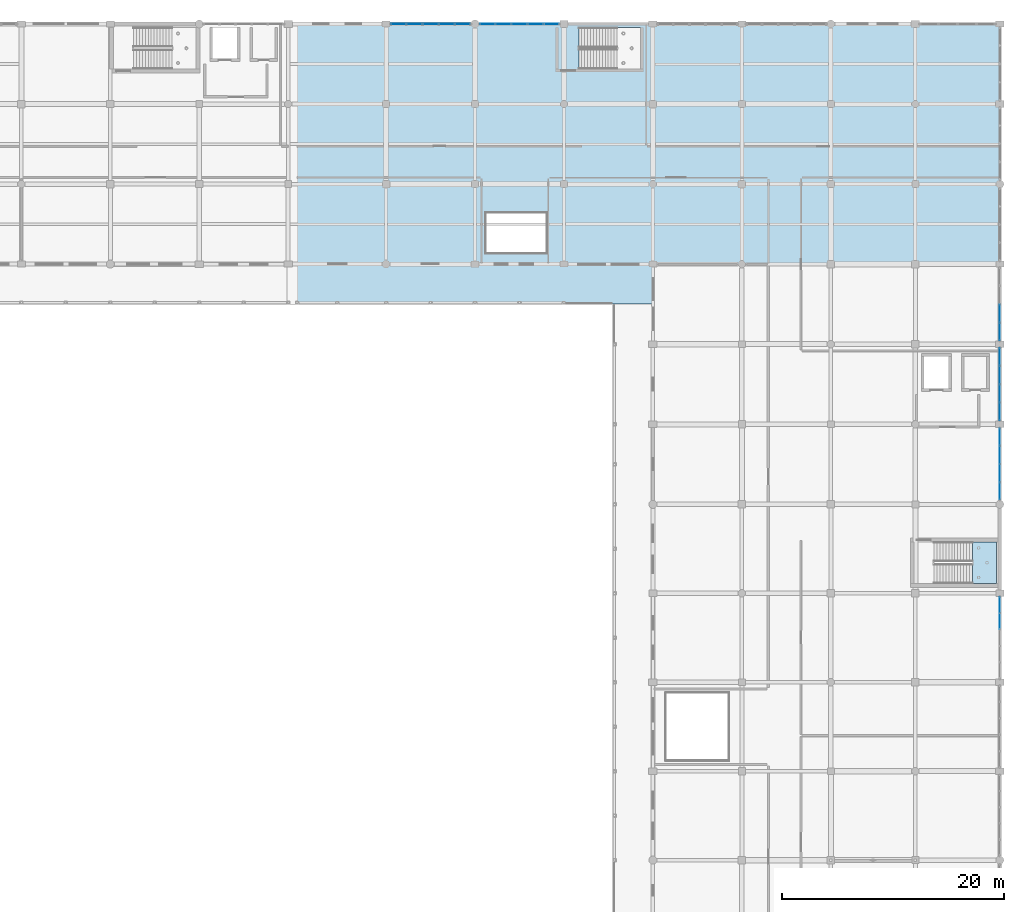
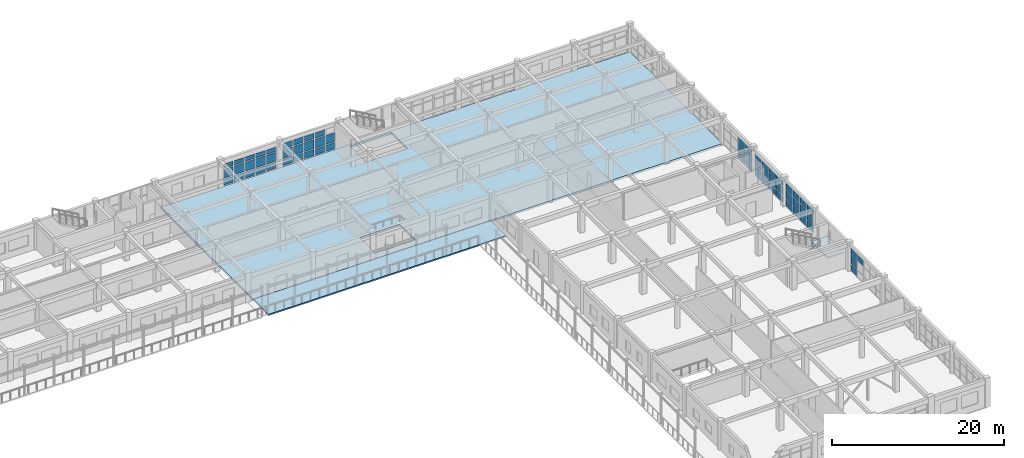
# One storey, part 154 of 195: 63 plates, 3 slabs, 7 elements without a shape of their own.
"""IFC4 building model written with IfcOpenShell, lengths in metres."""

from ifc_helpers import new_model, si_unit, direction, frame, origin, origin_2d, place, context, subcontext, project, spatial, polyline, rectangle, outline, extrude, material, layer, layer_set, type_object, element, aggregate, save


model = new_model("IFC4")

# Units and contexts
model_context = context("Model", 3, precision=1e-05, world=origin(), true_north=direction((0.0, 1.0)))
body_context = subcontext(model_context, "Body", "Model", "MODEL_VIEW")
ifc_project = project(units=[si_unit("LENGTHUNIT", "METRE"), si_unit("AREAUNIT", "SQUARE_METRE"), si_unit("VOLUMEUNIT", "CUBIC_METRE"), si_unit("PLANEANGLEUNIT", "RADIAN"), si_unit("MASSUNIT", "GRAM", prefix="KILO")], contexts=[model_context])

# Site, building, storey
site_placement = place(None, origin())
site = spatial("IfcSite", under=ifc_project, at=site_placement, CompositionType="ELEMENT")
building_placement = place(site_placement, origin())
building = spatial("IfcBuilding", under=site, at=building_placement, Name="Kharva Crest Polytechnic", CompositionType="ELEMENT")
storey_placement = place(building_placement, frame((0.0, 0.0, 9.0)))
storey = spatial("IfcBuildingStorey", under=building, at=storey_placement, Name="L02", CompositionType="ELEMENT", Elevation=9.0)

# Curtain wall, plates
ifc_material_1 = material(Name="Tempered insulated glass", Category="glass")
curtain_wall_type_1 = type_object("IfcCurtainWallType", Name="CW-SYS-COURT", PredefinedType="USERDEFINED", material=ifc_material_1)
curtain_wall_1_placement = place(storey_placement, origin())
curtain_wall_1 = element("IfcCurtainWall", 1, at=curtain_wall_1_placement, inside=storey, type_object=curtain_wall_type_1, Name="L02 Glazed Curtain Wall CW-106", ObjectType="CURTAIN WALL", PredefinedType="USERDEFINED")
ifc_layer_1 = layer(ifc_material_1, 0.02392578125, Name="Tempered insulated glass")
ifc_layer_set_1 = layer_set([ifc_layer_1], Name="Tempered insulated glass")
plate_type_1 = type_object("IfcPlateType", Name="CWP-GLZ-24", PredefinedType="CURTAIN_PANEL", material=ifc_layer_set_1)
plate_1_placement = place(storey_placement, frame((184.0, 68.2880859375, 2.510009765625), z_axis=(0.0, 0.0, 1.0), x_axis=(0.0, 1.0, 0.0)))
plate_1 = element("IfcPlate", 2, at=plate_1_placement, type_object=plate_type_1, Name="CW-106 panel 4.3", PredefinedType="CURTAIN_PANEL", context=body_context, shape_type="SweptSolid", body=[
    extrude(rectangle(XDim=1.407958984375, YDim=0.02392578125, at=origin_2d()), origin(), (0.0, 0.0, 1.0), 0.830078125),
])
plate_2_placement = place(storey_placement, frame((184.0, 69.756103515625, 0.119873046875), z_axis=(0.0, 0.0, 1.0), x_axis=(0.0, 1.0, 0.0)))
plate_2 = element("IfcPlate", 3, at=plate_2_placement, type_object=plate_type_1, Name="CW-106 panel 5.1", PredefinedType="CURTAIN_PANEL", context=body_context, shape_type="SweptSolid", body=[
    extrude(rectangle(XDim=1.367919921875, YDim=0.02392578125, at=origin_2d()), origin(), (0.0, 0.0, 1.0), 0.8701171875),
])
plate_3_placement = place(storey_placement, frame((184.0, 69.756103515625, 1.10986328125), z_axis=(0.0, 0.0, 1.0), x_axis=(0.0, 1.0, 0.0)))
plate_3 = element("IfcPlate", 4, at=plate_3_placement, type_object=plate_type_1, Name="CW-106 panel 5.2", PredefinedType="CURTAIN_PANEL", context=body_context, shape_type="SweptSolid", body=[
    extrude(rectangle(XDim=1.367919921875, YDim=0.02392578125, at=origin_2d()), origin(), (0.0, 0.0, 1.0), 1.280029296875),
])
plate_4_placement = place(storey_placement, frame((184.0, 69.756103515625, 2.510009765625), z_axis=(0.0, 0.0, 1.0), x_axis=(0.0, 1.0, 0.0)))
plate_4 = element("IfcPlate", 5, at=plate_4_placement, type_object=plate_type_1, Name="CW-106 panel 5.3", PredefinedType="CURTAIN_PANEL", context=body_context, shape_type="SweptSolid", body=[
    extrude(rectangle(XDim=1.367919921875, YDim=0.02392578125, at=origin_2d()), origin(), (0.0, 0.0, 1.0), 0.830078125),
])
aggregate(curtain_wall_1, [plate_1, plate_2, plate_3, plate_4])

curtain_wall_2_placement = place(storey_placement, origin())
curtain_wall_2 = element("IfcCurtainWall", 6, at=curtain_wall_2_placement, inside=storey, type_object=curtain_wall_type_1, Name="L02 Glazed Curtain Wall CW-107", ObjectType="CURTAIN WALL", PredefinedType="USERDEFINED")
plate_5_placement = place(storey_placement, frame((184.0, 80.001220703125, 0.119873046875), z_axis=(0.0, 0.0, 1.0), x_axis=(0.0, 1.0, 0.0)))
plate_5 = element("IfcPlate", 7, at=plate_5_placement, type_object=plate_type_1, Name="CW-107 panel 1.1", PredefinedType="CURTAIN_PANEL", context=body_context, shape_type="SweptSolid", body=[
    extrude(rectangle(XDim=1.512451171875, YDim=0.02392578125, at=origin_2d()), origin(), (0.0, 0.0, 1.0), 0.8701171875),
])
plate_6_placement = place(storey_placement, frame((184.0, 80.001220703125, 1.10986328125), z_axis=(0.0, 0.0, 1.0), x_axis=(0.0, 1.0, 0.0)))
plate_6 = element("IfcPlate", 8, at=plate_6_placement, type_object=plate_type_1, Name="CW-107 panel 1.2", PredefinedType="CURTAIN_PANEL", context=body_context, shape_type="SweptSolid", body=[
    extrude(rectangle(XDim=1.512451171875, YDim=0.02392578125, at=origin_2d()), origin(), (0.0, 0.0, 1.0), 1.280029296875),
])
plate_7_placement = place(storey_placement, frame((184.0, 80.001220703125, 2.510009765625), z_axis=(0.0, 0.0, 1.0), x_axis=(0.0, 1.0, 0.0)))
plate_7 = element("IfcPlate", 9, at=plate_7_placement, type_object=plate_type_1, Name="CW-107 panel 1.3", PredefinedType="CURTAIN_PANEL", context=body_context, shape_type="SweptSolid", body=[
    extrude(rectangle(XDim=1.512451171875, YDim=0.02392578125, at=origin_2d()), origin(), (0.0, 0.0, 1.0), 0.85009765625),
])
plate_8_placement = place(storey_placement, frame((184.0, 81.61376953125, 0.119873046875), z_axis=(0.0, 0.0, 1.0), x_axis=(0.0, 1.0, 0.0)))
plate_8 = element("IfcPlate", 10, at=plate_8_placement, type_object=plate_type_1, Name="CW-107 panel 2.1", PredefinedType="CURTAIN_PANEL", context=body_context, shape_type="SweptSolid", body=[
    extrude(rectangle(XDim=1.552490234375, YDim=0.02392578125, at=origin_2d()), origin(), (0.0, 0.0, 1.0), 0.8701171875),
])
plate_9_placement = place(storey_placement, frame((184.0, 81.61376953125, 1.10986328125), z_axis=(0.0, 0.0, 1.0), x_axis=(0.0, 1.0, 0.0)))
plate_9 = element("IfcPlate", 11, at=plate_9_placement, type_object=plate_type_1, Name="CW-107 panel 2.2", PredefinedType="CURTAIN_PANEL", context=body_context, shape_type="SweptSolid", body=[
    extrude(rectangle(XDim=1.552490234375, YDim=0.02392578125, at=origin_2d()), origin(), (0.0, 0.0, 1.0), 1.280029296875),
])
plate_10_placement = place(storey_placement, frame((184.0, 81.61376953125, 2.510009765625), z_axis=(0.0, 0.0, 1.0), x_axis=(0.0, 1.0, 0.0)))
plate_10 = element("IfcPlate", 12, at=plate_10_placement, type_object=plate_type_1, Name="CW-107 panel 2.3", PredefinedType="CURTAIN_PANEL", context=body_context, shape_type="SweptSolid", body=[
    extrude(rectangle(XDim=1.552490234375, YDim=0.02392578125, at=origin_2d()), origin(), (0.0, 0.0, 1.0), 0.85009765625),
])
plate_11_placement = place(storey_placement, frame((184.0, 83.246337890625, 0.119873046875), z_axis=(0.0, 0.0, 1.0), x_axis=(0.0, 1.0, 0.0)))
plate_11 = element("IfcPlate", 13, at=plate_11_placement, type_object=plate_type_1, Name="CW-107 panel 3.1", PredefinedType="CURTAIN_PANEL", context=body_context, shape_type="SweptSolid", body=[
    extrude(rectangle(XDim=1.552490234375, YDim=0.02392578125, at=origin_2d()), origin(), (0.0, 0.0, 1.0), 0.8701171875),
])
plate_12_placement = place(storey_placement, frame((184.0, 83.246337890625, 1.10986328125), z_axis=(0.0, 0.0, 1.0), x_axis=(0.0, 1.0, 0.0)))
plate_12 = element("IfcPlate", 14, at=plate_12_placement, type_object=plate_type_1, Name="CW-107 panel 3.2", PredefinedType="CURTAIN_PANEL", context=body_context, shape_type="SweptSolid", body=[
    extrude(rectangle(XDim=1.552490234375, YDim=0.02392578125, at=origin_2d()), origin(), (0.0, 0.0, 1.0), 1.280029296875),
])
plate_13_placement = place(storey_placement, frame((184.0, 83.246337890625, 2.510009765625), z_axis=(0.0, 0.0, 1.0), x_axis=(0.0, 1.0, 0.0)))
plate_13 = element("IfcPlate", 15, at=plate_13_placement, type_object=plate_type_1, Name="CW-107 panel 3.3", PredefinedType="CURTAIN_PANEL", context=body_context, shape_type="SweptSolid", body=[
    extrude(rectangle(XDim=1.552490234375, YDim=0.02392578125, at=origin_2d()), origin(), (0.0, 0.0, 1.0), 0.85009765625),
])
plate_14_placement = place(storey_placement, frame((184.0, 84.858642578125, 0.119873046875), z_axis=(0.0, 0.0, 1.0), x_axis=(0.0, 1.0, 0.0)))
plate_14 = element("IfcPlate", 16, at=plate_14_placement, type_object=plate_type_1, Name="CW-107 panel 4.1", PredefinedType="CURTAIN_PANEL", context=body_context, shape_type="SweptSolid", body=[
    extrude(rectangle(XDim=1.512451171875, YDim=0.02392578125, at=origin_2d()), origin(), (0.0, 0.0, 1.0), 0.8701171875),
])
plate_15_placement = place(storey_placement, frame((184.0, 84.858642578125, 1.10986328125), z_axis=(0.0, 0.0, 1.0), x_axis=(0.0, 1.0, 0.0)))
plate_15 = element("IfcPlate", 17, at=plate_15_placement, type_object=plate_type_1, Name="CW-107 panel 4.2", PredefinedType="CURTAIN_PANEL", context=body_context, shape_type="SweptSolid", body=[
    extrude(rectangle(XDim=1.512451171875, YDim=0.02392578125, at=origin_2d()), origin(), (0.0, 0.0, 1.0), 1.280029296875),
])
plate_16_placement = place(storey_placement, frame((184.0, 84.858642578125, 2.510009765625), z_axis=(0.0, 0.0, 1.0), x_axis=(0.0, 1.0, 0.0)))
plate_16 = element("IfcPlate", 18, at=plate_16_placement, type_object=plate_type_1, Name="CW-107 panel 4.3", PredefinedType="CURTAIN_PANEL", context=body_context, shape_type="SweptSolid", body=[
    extrude(rectangle(XDim=1.512451171875, YDim=0.02392578125, at=origin_2d()), origin(), (0.0, 0.0, 1.0), 0.85009765625),
])
aggregate(curtain_wall_2, [plate_5, plate_6, plate_7, plate_8, plate_9, plate_10, plate_11, plate_12, plate_13, plate_14, plate_15, plate_16])

curtain_wall_3_placement = place(storey_placement, origin())
curtain_wall_3 = element("IfcCurtainWall", 19, at=curtain_wall_3_placement, inside=storey, type_object=curtain_wall_type_1, Name="L02 Glazed Curtain Wall CW-108", ObjectType="CURTAIN WALL", PredefinedType="USERDEFINED")
plate_17_placement = place(storey_placement, frame((184.0, 87.15185546875, 0.119873046875), z_axis=(0.0, 0.0, 1.0), x_axis=(0.0, 1.0, 0.0)))
plate_17 = element("IfcPlate", 20, at=plate_17_placement, type_object=plate_type_1, Name="CW-108 panel 1.1", PredefinedType="CURTAIN_PANEL", context=body_context, shape_type="SweptSolid", body=[
    extrude(rectangle(XDim=1.53369140625, YDim=0.02392578125, at=origin_2d()), origin(), (0.0, 0.0, 1.0), 0.8701171875),
])
plate_18_placement = place(storey_placement, frame((184.0, 87.15185546875, 1.10986328125), z_axis=(0.0, 0.0, 1.0), x_axis=(0.0, 1.0, 0.0)))
plate_18 = element("IfcPlate", 21, at=plate_18_placement, type_object=plate_type_1, Name="CW-108 panel 1.2", PredefinedType="CURTAIN_PANEL", context=body_context, shape_type="SweptSolid", body=[
    extrude(rectangle(XDim=1.53369140625, YDim=0.02392578125, at=origin_2d()), origin(), (0.0, 0.0, 1.0), 1.280029296875),
])
plate_19_placement = place(storey_placement, frame((184.0, 87.15185546875, 2.510009765625), z_axis=(0.0, 0.0, 1.0), x_axis=(0.0, 1.0, 0.0)))
plate_19 = element("IfcPlate", 22, at=plate_19_placement, type_object=plate_type_1, Name="CW-108 panel 1.3", PredefinedType="CURTAIN_PANEL", context=body_context, shape_type="SweptSolid", body=[
    extrude(rectangle(XDim=1.53369140625, YDim=0.02392578125, at=origin_2d()), origin(), (0.0, 0.0, 1.0), 0.669921875),
])
plate_20_placement = place(storey_placement, frame((184.0, 88.78564453125, 0.119873046875), z_axis=(0.0, 0.0, 1.0), x_axis=(0.0, 1.0, 0.0)))
plate_20 = element("IfcPlate", 23, at=plate_20_placement, type_object=plate_type_1, Name="CW-108 panel 2.1", PredefinedType="CURTAIN_PANEL", context=body_context, shape_type="SweptSolid", body=[
    extrude(rectangle(XDim=1.57373046875, YDim=0.02392578125, at=origin_2d()), origin(), (0.0, 0.0, 1.0), 0.8701171875),
])
plate_21_placement = place(storey_placement, frame((184.0, 88.78564453125, 1.10986328125), z_axis=(0.0, 0.0, 1.0), x_axis=(0.0, 1.0, 0.0)))
plate_21 = element("IfcPlate", 24, at=plate_21_placement, type_object=plate_type_1, Name="CW-108 panel 2.2", PredefinedType="CURTAIN_PANEL", context=body_context, shape_type="SweptSolid", body=[
    extrude(rectangle(XDim=1.57373046875, YDim=0.02392578125, at=origin_2d()), origin(), (0.0, 0.0, 1.0), 1.280029296875),
])
plate_22_placement = place(storey_placement, frame((184.0, 88.78564453125, 2.510009765625), z_axis=(0.0, 0.0, 1.0), x_axis=(0.0, 1.0, 0.0)))
plate_22 = element("IfcPlate", 25, at=plate_22_placement, type_object=plate_type_1, Name="CW-108 panel 2.3", PredefinedType="CURTAIN_PANEL", context=body_context, shape_type="SweptSolid", body=[
    extrude(rectangle(XDim=1.57373046875, YDim=0.02392578125, at=origin_2d()), origin(), (0.0, 0.0, 1.0), 0.669921875),
])
plate_23_placement = place(storey_placement, frame((184.0, 90.439453125, 0.119873046875), z_axis=(0.0, 0.0, 1.0), x_axis=(0.0, 1.0, 0.0)))
plate_23 = element("IfcPlate", 26, at=plate_23_placement, type_object=plate_type_1, Name="CW-108 panel 3.1", PredefinedType="CURTAIN_PANEL", context=body_context, shape_type="SweptSolid", body=[
    extrude(rectangle(XDim=1.57373046875, YDim=0.02392578125, at=origin_2d()), origin(), (0.0, 0.0, 1.0), 0.8701171875),
])
plate_24_placement = place(storey_placement, frame((184.0, 90.439453125, 1.10986328125), z_axis=(0.0, 0.0, 1.0), x_axis=(0.0, 1.0, 0.0)))
plate_24 = element("IfcPlate", 27, at=plate_24_placement, type_object=plate_type_1, Name="CW-108 panel 3.2", PredefinedType="CURTAIN_PANEL", context=body_context, shape_type="SweptSolid", body=[
    extrude(rectangle(XDim=1.57373046875, YDim=0.02392578125, at=origin_2d()), origin(), (0.0, 0.0, 1.0), 1.280029296875),
])
plate_25_placement = place(storey_placement, frame((184.0, 90.439453125, 2.510009765625), z_axis=(0.0, 0.0, 1.0), x_axis=(0.0, 1.0, 0.0)))
plate_25 = element("IfcPlate", 28, at=plate_25_placement, type_object=plate_type_1, Name="CW-108 panel 3.3", PredefinedType="CURTAIN_PANEL", context=body_context, shape_type="SweptSolid", body=[
    extrude(rectangle(XDim=1.57373046875, YDim=0.02392578125, at=origin_2d()), origin(), (0.0, 0.0, 1.0), 0.669921875),
])
plate_26_placement = place(storey_placement, frame((184.0, 92.0732421875, 0.119873046875), z_axis=(0.0, 0.0, 1.0), x_axis=(0.0, 1.0, 0.0)))
plate_26 = element("IfcPlate", 29, at=plate_26_placement, type_object=plate_type_1, Name="CW-108 panel 4.1", PredefinedType="CURTAIN_PANEL", context=body_context, shape_type="SweptSolid", body=[
    extrude(rectangle(XDim=1.53369140625, YDim=0.02392578125, at=origin_2d()), origin(), (0.0, 0.0, 1.0), 0.8701171875),
])
plate_27_placement = place(storey_placement, frame((184.0, 92.0732421875, 1.10986328125), z_axis=(0.0, 0.0, 1.0), x_axis=(0.0, 1.0, 0.0)))
plate_27 = element("IfcPlate", 30, at=plate_27_placement, type_object=plate_type_1, Name="CW-108 panel 4.2", PredefinedType="CURTAIN_PANEL", context=body_context, shape_type="SweptSolid", body=[
    extrude(rectangle(XDim=1.53369140625, YDim=0.02392578125, at=origin_2d()), origin(), (0.0, 0.0, 1.0), 1.280029296875),
])
plate_28_placement = place(storey_placement, frame((184.0, 92.0732421875, 2.510009765625), z_axis=(0.0, 0.0, 1.0), x_axis=(0.0, 1.0, 0.0)))
plate_28 = element("IfcPlate", 31, at=plate_28_placement, type_object=plate_type_1, Name="CW-108 panel 4.3", PredefinedType="CURTAIN_PANEL", context=body_context, shape_type="SweptSolid", body=[
    extrude(rectangle(XDim=1.53369140625, YDim=0.02392578125, at=origin_2d()), origin(), (0.0, 0.0, 1.0), 0.669921875),
])
aggregate(curtain_wall_3, [plate_17, plate_18, plate_19, plate_20, plate_21, plate_22, plate_23, plate_24, plate_25, plate_26, plate_27, plate_28])

curtain_wall_4_placement = place(storey_placement, origin())
curtain_wall_4 = element("IfcCurtainWall", 32, at=curtain_wall_4_placement, inside=storey, type_object=curtain_wall_type_1, Name="L02 Glazed Curtain Wall CW-109", ObjectType="CURTAIN WALL", PredefinedType="USERDEFINED")
plate_29_placement = place(storey_placement, frame((184.0, 94.330078125, 0.119873046875), z_axis=(0.0, 0.0, 1.0), x_axis=(0.0, 1.0, 0.0)))
plate_29 = element("IfcPlate", 33, at=plate_29_placement, type_object=plate_type_1, Name="CW-109 panel 1.1", PredefinedType="CURTAIN_PANEL", context=body_context, shape_type="SweptSolid", body=[
    extrude(rectangle(XDim=1.5400390625, YDim=0.02392578125, at=origin_2d()), origin(), (0.0, 0.0, 1.0), 0.8701171875),
])
plate_30_placement = place(storey_placement, frame((184.0, 94.330078125, 1.10986328125), z_axis=(0.0, 0.0, 1.0), x_axis=(0.0, 1.0, 0.0)))
plate_30 = element("IfcPlate", 34, at=plate_30_placement, type_object=plate_type_1, Name="CW-109 panel 1.2", PredefinedType="CURTAIN_PANEL", context=body_context, shape_type="SweptSolid", body=[
    extrude(rectangle(XDim=1.5400390625, YDim=0.02392578125, at=origin_2d()), origin(), (0.0, 0.0, 1.0), 1.280029296875),
])
plate_31_placement = place(storey_placement, frame((184.0, 94.330078125, 2.510009765625), z_axis=(0.0, 0.0, 1.0), x_axis=(0.0, 1.0, 0.0)))
plate_31 = element("IfcPlate", 35, at=plate_31_placement, type_object=plate_type_1, Name="CW-109 panel 1.3", PredefinedType="CURTAIN_PANEL", context=body_context, shape_type="SweptSolid", body=[
    extrude(rectangle(XDim=1.5400390625, YDim=0.02392578125, at=origin_2d()), origin(), (0.0, 0.0, 1.0), 0.7099609375),
])
plate_32_placement = place(storey_placement, frame((184.0, 95.969970703125, 0.119873046875), z_axis=(0.0, 0.0, 1.0), x_axis=(0.0, 1.0, 0.0)))
plate_32 = element("IfcPlate", 36, at=plate_32_placement, type_object=plate_type_1, Name="CW-109 panel 2.1", PredefinedType="CURTAIN_PANEL", context=body_context, shape_type="SweptSolid", body=[
    extrude(rectangle(XDim=1.580078125, YDim=0.02392578125, at=origin_2d()), origin(), (0.0, 0.0, 1.0), 0.8701171875),
])
plate_33_placement = place(storey_placement, frame((184.0, 95.969970703125, 1.10986328125), z_axis=(0.0, 0.0, 1.0), x_axis=(0.0, 1.0, 0.0)))
plate_33 = element("IfcPlate", 37, at=plate_33_placement, type_object=plate_type_1, Name="CW-109 panel 2.2", PredefinedType="CURTAIN_PANEL", context=body_context, shape_type="SweptSolid", body=[
    extrude(rectangle(XDim=1.580078125, YDim=0.02392578125, at=origin_2d()), origin(), (0.0, 0.0, 1.0), 1.280029296875),
])
plate_34_placement = place(storey_placement, frame((184.0, 95.969970703125, 2.510009765625), z_axis=(0.0, 0.0, 1.0), x_axis=(0.0, 1.0, 0.0)))
plate_34 = element("IfcPlate", 38, at=plate_34_placement, type_object=plate_type_1, Name="CW-109 panel 2.3", PredefinedType="CURTAIN_PANEL", context=body_context, shape_type="SweptSolid", body=[
    extrude(rectangle(XDim=1.580078125, YDim=0.02392578125, at=origin_2d()), origin(), (0.0, 0.0, 1.0), 0.7099609375),
])
aggregate(curtain_wall_4, [plate_29, plate_30, plate_31, plate_32, plate_33, plate_34])

curtain_wall_type_2 = type_object("IfcCurtainWallType", Name="CW-SYS-LIBRARY", PredefinedType="USERDEFINED", material=ifc_material_1)
curtain_wall_5_placement = place(storey_placement, origin())
curtain_wall_5 = element("IfcCurtainWall", 39, at=curtain_wall_5_placement, inside=storey, type_object=curtain_wall_type_2, Name="L02 Glazed Curtain Wall CW-116", ObjectType="CURTAIN WALL", PredefinedType="USERDEFINED")
ifc_layer_2 = layer(ifc_material_1, 0.031982421875, Name="Tempered insulated glass")
ifc_layer_set_2 = layer_set([ifc_layer_2], Name="Tempered insulated glass")
plate_type_2 = type_object("IfcPlateType", Name="CWP-GLZ-32", PredefinedType="CURTAIN_PANEL", material=ifc_layer_set_2)
plate_35_placement = place(storey_placement, frame((143.66943359375, 122.0, 0.14013671875), z_axis=(0.0, 0.0, 1.0), x_axis=(-1.0, 0.0, 0.0)))
plate_35 = element("IfcPlate", 40, at=plate_35_placement, type_object=plate_type_2, Name="CW-116 panel 1.1", PredefinedType="CURTAIN_PANEL", context=body_context, shape_type="SweptSolid", body=[
    extrude(rectangle(XDim=1.301025390625, YDim=0.031982421875, at=origin_2d()), origin(), (0.0, 0.0, 1.0), 0.840087890625),
])
plate_36_placement = place(storey_placement, frame((143.66943359375, 122.0, 1.1201171875), z_axis=(0.0, 0.0, 1.0), x_axis=(-1.0, 0.0, 0.0)))
plate_36 = element("IfcPlate", 41, at=plate_36_placement, type_object=plate_type_2, Name="CW-116 panel 1.2", PredefinedType="CURTAIN_PANEL", context=body_context, shape_type="SweptSolid", body=[
    extrude(rectangle(XDim=1.301025390625, YDim=0.031982421875, at=origin_2d()), origin(), (0.0, 0.0, 1.0), 1.260009765625),
])
plate_37_placement = place(storey_placement, frame((142.243408203125, 122.0, 0.14013671875), z_axis=(0.0, 0.0, 1.0), x_axis=(-1.0, 0.0, 0.0)))
plate_37 = element("IfcPlate", 42, at=plate_37_placement, type_object=plate_type_2, Name="CW-116 panel 2.1", PredefinedType="CURTAIN_PANEL", context=body_context, shape_type="SweptSolid", body=[
    extrude(rectangle(XDim=1.35107421875, YDim=0.031982421875, at=origin_2d()), origin(), (0.0, 0.0, 1.0), 0.840087890625),
])
plate_38_placement = place(storey_placement, frame((142.243408203125, 122.0, 1.1201171875), z_axis=(0.0, 0.0, 1.0), x_axis=(-1.0, 0.0, 0.0)))
plate_38 = element("IfcPlate", 43, at=plate_38_placement, type_object=plate_type_2, Name="CW-116 panel 2.2", PredefinedType="CURTAIN_PANEL", context=body_context, shape_type="SweptSolid", body=[
    extrude(rectangle(XDim=1.35107421875, YDim=0.031982421875, at=origin_2d()), origin(), (0.0, 0.0, 1.0), 1.260009765625),
])
plate_39_placement = place(storey_placement, frame((142.243408203125, 122.0, 2.52001953125), z_axis=(0.0, 0.0, 1.0), x_axis=(-1.0, 0.0, 0.0)))
plate_39 = element("IfcPlate", 44, at=plate_39_placement, type_object=plate_type_2, Name="CW-116 panel 2.3", PredefinedType="CURTAIN_PANEL", context=body_context, shape_type="SweptSolid", body=[
    extrude(rectangle(XDim=1.35107421875, YDim=0.031982421875, at=origin_2d()), origin(), (0.0, 0.0, 1.0), 0.760009765625),
])
plate_40_placement = place(storey_placement, frame((140.79248046875, 122.0, 0.14013671875), z_axis=(0.0, 0.0, 1.0), x_axis=(-1.0, 0.0, 0.0)))
plate_40 = element("IfcPlate", 45, at=plate_40_placement, type_object=plate_type_2, Name="CW-116 panel 3.1", PredefinedType="CURTAIN_PANEL", context=body_context, shape_type="SweptSolid", body=[
    extrude(rectangle(XDim=1.35107421875, YDim=0.031982421875, at=origin_2d()), origin(), (0.0, 0.0, 1.0), 0.840087890625),
])
plate_41_placement = place(storey_placement, frame((140.79248046875, 122.0, 1.1201171875), z_axis=(0.0, 0.0, 1.0), x_axis=(-1.0, 0.0, 0.0)))
plate_41 = element("IfcPlate", 46, at=plate_41_placement, type_object=plate_type_2, Name="CW-116 panel 3.2", PredefinedType="CURTAIN_PANEL", context=body_context, shape_type="SweptSolid", body=[
    extrude(rectangle(XDim=1.35107421875, YDim=0.031982421875, at=origin_2d()), origin(), (0.0, 0.0, 1.0), 1.260009765625),
])
plate_42_placement = place(storey_placement, frame((140.79248046875, 122.0, 2.52001953125), z_axis=(0.0, 0.0, 1.0), x_axis=(-1.0, 0.0, 0.0)))
plate_42 = element("IfcPlate", 47, at=plate_42_placement, type_object=plate_type_2, Name="CW-116 panel 3.3", PredefinedType="CURTAIN_PANEL", context=body_context, shape_type="SweptSolid", body=[
    extrude(rectangle(XDim=1.35107421875, YDim=0.031982421875, at=origin_2d()), origin(), (0.0, 0.0, 1.0), 0.760009765625),
])
plate_43_placement = place(storey_placement, frame((139.341552734375, 122.0, 0.14013671875), z_axis=(0.0, 0.0, 1.0), x_axis=(-1.0, 0.0, 0.0)))
plate_43 = element("IfcPlate", 48, at=plate_43_placement, type_object=plate_type_2, Name="CW-116 panel 4.1", PredefinedType="CURTAIN_PANEL", context=body_context, shape_type="SweptSolid", body=[
    extrude(rectangle(XDim=1.35107421875, YDim=0.031982421875, at=origin_2d()), origin(), (0.0, 0.0, 1.0), 0.840087890625),
])
plate_44_placement = place(storey_placement, frame((139.341552734375, 122.0, 1.1201171875), z_axis=(0.0, 0.0, 1.0), x_axis=(-1.0, 0.0, 0.0)))
plate_44 = element("IfcPlate", 49, at=plate_44_placement, type_object=plate_type_2, Name="CW-116 panel 4.2", PredefinedType="CURTAIN_PANEL", context=body_context, shape_type="SweptSolid", body=[
    extrude(rectangle(XDim=1.35107421875, YDim=0.031982421875, at=origin_2d()), origin(), (0.0, 0.0, 1.0), 1.260009765625),
])
plate_45_placement = place(storey_placement, frame((139.341552734375, 122.0, 2.52001953125), z_axis=(0.0, 0.0, 1.0), x_axis=(-1.0, 0.0, 0.0)))
plate_45 = element("IfcPlate", 50, at=plate_45_placement, type_object=plate_type_2, Name="CW-116 panel 4.3", PredefinedType="CURTAIN_PANEL", context=body_context, shape_type="SweptSolid", body=[
    extrude(rectangle(XDim=1.35107421875, YDim=0.031982421875, at=origin_2d()), origin(), (0.0, 0.0, 1.0), 0.760009765625),
])
plate_46_placement = place(storey_placement, frame((137.91552734375, 122.0, 0.14013671875), z_axis=(0.0, 0.0, 1.0), x_axis=(-1.0, 0.0, 0.0)))
plate_46 = element("IfcPlate", 51, at=plate_46_placement, type_object=plate_type_2, Name="CW-116 panel 5.1", PredefinedType="CURTAIN_PANEL", context=body_context, shape_type="SweptSolid", body=[
    extrude(rectangle(XDim=1.301025390625, YDim=0.031982421875, at=origin_2d()), origin(), (0.0, 0.0, 1.0), 0.840087890625),
])
plate_47_placement = place(storey_placement, frame((137.91552734375, 122.0, 1.1201171875), z_axis=(0.0, 0.0, 1.0), x_axis=(-1.0, 0.0, 0.0)))
plate_47 = element("IfcPlate", 52, at=plate_47_placement, type_object=plate_type_2, Name="CW-116 panel 5.2", PredefinedType="CURTAIN_PANEL", context=body_context, shape_type="SweptSolid", body=[
    extrude(rectangle(XDim=1.301025390625, YDim=0.031982421875, at=origin_2d()), origin(), (0.0, 0.0, 1.0), 1.260009765625),
])
plate_48_placement = place(storey_placement, frame((137.91552734375, 122.0, 2.52001953125), z_axis=(0.0, 0.0, 1.0), x_axis=(-1.0, 0.0, 0.0)))
plate_48 = element("IfcPlate", 53, at=plate_48_placement, type_object=plate_type_2, Name="CW-116 panel 5.3", PredefinedType="CURTAIN_PANEL", context=body_context, shape_type="SweptSolid", body=[
    extrude(rectangle(XDim=1.301025390625, YDim=0.031982421875, at=origin_2d()), origin(), (0.0, 0.0, 1.0), 0.760009765625),
])
aggregate(curtain_wall_5, [plate_35, plate_36, plate_37, plate_38, plate_39, plate_40, plate_41, plate_42, plate_43, plate_44, plate_45, plate_46, plate_47, plate_48])

curtain_wall_6_placement = place(storey_placement, origin())
curtain_wall_6 = element("IfcCurtainWall", 54, at=curtain_wall_6_placement, inside=storey, type_object=curtain_wall_type_2, Name="L02 Glazed Curtain Wall CW-117", ObjectType="CURTAIN WALL", PredefinedType="USERDEFINED")
plate_49_placement = place(storey_placement, frame((135.68310546875, 122.0, 0.14013671875), z_axis=(0.0, 0.0, 1.0), x_axis=(-1.0, 0.0, 0.0)))
plate_49 = element("IfcPlate", 55, at=plate_49_placement, type_object=plate_type_2, Name="CW-117 panel 1.1", PredefinedType="CURTAIN_PANEL", context=body_context, shape_type="SweptSolid", body=[
    extrude(rectangle(XDim=1.303955078125, YDim=0.031982421875, at=origin_2d()), origin(), (0.0, 0.0, 1.0), 0.840087890625),
])
plate_50_placement = place(storey_placement, frame((135.68310546875, 122.0, 1.1201171875), z_axis=(0.0, 0.0, 1.0), x_axis=(-1.0, 0.0, 0.0)))
plate_50 = element("IfcPlate", 56, at=plate_50_placement, type_object=plate_type_2, Name="CW-117 panel 1.2", PredefinedType="CURTAIN_PANEL", context=body_context, shape_type="SweptSolid", body=[
    extrude(rectangle(XDim=1.303955078125, YDim=0.031982421875, at=origin_2d()), origin(), (0.0, 0.0, 1.0), 1.260009765625),
])
plate_51_placement = place(storey_placement, frame((135.68310546875, 122.0, 2.52001953125), z_axis=(0.0, 0.0, 1.0), x_axis=(-1.0, 0.0, 0.0)))
plate_51 = element("IfcPlate", 57, at=plate_51_placement, type_object=plate_type_2, Name="CW-117 panel 1.3", PredefinedType="CURTAIN_PANEL", context=body_context, shape_type="SweptSolid", body=[
    extrude(rectangle(XDim=1.303955078125, YDim=0.031982421875, at=origin_2d()), origin(), (0.0, 0.0, 1.0), 0.610107421875),
])
plate_52_placement = place(storey_placement, frame((134.25390625, 122.0, 0.14013671875), z_axis=(0.0, 0.0, 1.0), x_axis=(-1.0, 0.0, 0.0)))
plate_52 = element("IfcPlate", 58, at=plate_52_placement, type_object=plate_type_2, Name="CW-117 panel 2.1", PredefinedType="CURTAIN_PANEL", context=body_context, shape_type="SweptSolid", body=[
    extrude(rectangle(XDim=1.35400390625, YDim=0.031982421875, at=origin_2d()), origin(), (0.0, 0.0, 1.0), 0.840087890625),
])
plate_53_placement = place(storey_placement, frame((134.25390625, 122.0, 1.1201171875), z_axis=(0.0, 0.0, 1.0), x_axis=(-1.0, 0.0, 0.0)))
plate_53 = element("IfcPlate", 59, at=plate_53_placement, type_object=plate_type_2, Name="CW-117 panel 2.2", PredefinedType="CURTAIN_PANEL", context=body_context, shape_type="SweptSolid", body=[
    extrude(rectangle(XDim=1.35400390625, YDim=0.031982421875, at=origin_2d()), origin(), (0.0, 0.0, 1.0), 1.260009765625),
])
plate_54_placement = place(storey_placement, frame((134.25390625, 122.0, 2.52001953125), z_axis=(0.0, 0.0, 1.0), x_axis=(-1.0, 0.0, 0.0)))
plate_54 = element("IfcPlate", 60, at=plate_54_placement, type_object=plate_type_2, Name="CW-117 panel 2.3", PredefinedType="CURTAIN_PANEL", context=body_context, shape_type="SweptSolid", body=[
    extrude(rectangle(XDim=1.35400390625, YDim=0.031982421875, at=origin_2d()), origin(), (0.0, 0.0, 1.0), 0.610107421875),
])
plate_55_placement = place(storey_placement, frame((132.800048828125, 122.0, 0.14013671875), z_axis=(0.0, 0.0, 1.0), x_axis=(-1.0, 0.0, 0.0)))
plate_55 = element("IfcPlate", 61, at=plate_55_placement, type_object=plate_type_2, Name="CW-117 panel 3.1", PredefinedType="CURTAIN_PANEL", context=body_context, shape_type="SweptSolid", body=[
    extrude(rectangle(XDim=1.35400390625, YDim=0.031982421875, at=origin_2d()), origin(), (0.0, 0.0, 1.0), 0.840087890625),
])
plate_56_placement = place(storey_placement, frame((132.800048828125, 122.0, 1.1201171875), z_axis=(0.0, 0.0, 1.0), x_axis=(-1.0, 0.0, 0.0)))
plate_56 = element("IfcPlate", 62, at=plate_56_placement, type_object=plate_type_2, Name="CW-117 panel 3.2", PredefinedType="CURTAIN_PANEL", context=body_context, shape_type="SweptSolid", body=[
    extrude(rectangle(XDim=1.35400390625, YDim=0.031982421875, at=origin_2d()), origin(), (0.0, 0.0, 1.0), 1.260009765625),
])
plate_57_placement = place(storey_placement, frame((132.800048828125, 122.0, 2.52001953125), z_axis=(0.0, 0.0, 1.0), x_axis=(-1.0, 0.0, 0.0)))
plate_57 = element("IfcPlate", 63, at=plate_57_placement, type_object=plate_type_2, Name="CW-117 panel 3.3", PredefinedType="CURTAIN_PANEL", context=body_context, shape_type="SweptSolid", body=[
    extrude(rectangle(XDim=1.35400390625, YDim=0.031982421875, at=origin_2d()), origin(), (0.0, 0.0, 1.0), 0.610107421875),
])
plate_58_placement = place(storey_placement, frame((131.345947265625, 122.0, 0.14013671875), z_axis=(0.0, 0.0, 1.0), x_axis=(-1.0, 0.0, 0.0)))
plate_58 = element("IfcPlate", 64, at=plate_58_placement, type_object=plate_type_2, Name="CW-117 panel 4.1", PredefinedType="CURTAIN_PANEL", context=body_context, shape_type="SweptSolid", body=[
    extrude(rectangle(XDim=1.35400390625, YDim=0.031982421875, at=origin_2d()), origin(), (0.0, 0.0, 1.0), 0.840087890625),
])
plate_59_placement = place(storey_placement, frame((131.345947265625, 122.0, 1.1201171875), z_axis=(0.0, 0.0, 1.0), x_axis=(-1.0, 0.0, 0.0)))
plate_59 = element("IfcPlate", 65, at=plate_59_placement, type_object=plate_type_2, Name="CW-117 panel 4.2", PredefinedType="CURTAIN_PANEL", context=body_context, shape_type="SweptSolid", body=[
    extrude(rectangle(XDim=1.35400390625, YDim=0.031982421875, at=origin_2d()), origin(), (0.0, 0.0, 1.0), 1.260009765625),
])
plate_60_placement = place(storey_placement, frame((131.345947265625, 122.0, 2.52001953125), z_axis=(0.0, 0.0, 1.0), x_axis=(-1.0, 0.0, 0.0)))
plate_60 = element("IfcPlate", 66, at=plate_60_placement, type_object=plate_type_2, Name="CW-117 panel 4.3", PredefinedType="CURTAIN_PANEL", context=body_context, shape_type="SweptSolid", body=[
    extrude(rectangle(XDim=1.35400390625, YDim=0.031982421875, at=origin_2d()), origin(), (0.0, 0.0, 1.0), 0.610107421875),
])
plate_61_placement = place(storey_placement, frame((129.9169921875, 122.0, 0.14013671875), z_axis=(0.0, 0.0, 1.0), x_axis=(-1.0, 0.0, 0.0)))
plate_61 = element("IfcPlate", 67, at=plate_61_placement, type_object=plate_type_2, Name="CW-117 panel 5.1", PredefinedType="CURTAIN_PANEL", context=body_context, shape_type="SweptSolid", body=[
    extrude(rectangle(XDim=1.303955078125, YDim=0.031982421875, at=origin_2d()), origin(), (0.0, 0.0, 1.0), 0.840087890625),
])
plate_62_placement = place(storey_placement, frame((129.9169921875, 122.0, 1.1201171875), z_axis=(0.0, 0.0, 1.0), x_axis=(-1.0, 0.0, 0.0)))
plate_62 = element("IfcPlate", 68, at=plate_62_placement, type_object=plate_type_2, Name="CW-117 panel 5.2", PredefinedType="CURTAIN_PANEL", context=body_context, shape_type="SweptSolid", body=[
    extrude(rectangle(XDim=1.303955078125, YDim=0.031982421875, at=origin_2d()), origin(), (0.0, 0.0, 1.0), 1.260009765625),
])
plate_63_placement = place(storey_placement, frame((129.9169921875, 122.0, 2.52001953125), z_axis=(0.0, 0.0, 1.0), x_axis=(-1.0, 0.0, 0.0)))
plate_63 = element("IfcPlate", 69, at=plate_63_placement, type_object=plate_type_2, Name="CW-117 panel 5.3", PredefinedType="CURTAIN_PANEL", context=body_context, shape_type="SweptSolid", body=[
    extrude(rectangle(XDim=1.303955078125, YDim=0.031982421875, at=origin_2d()), origin(), (0.0, 0.0, 1.0), 0.610107421875),
])
aggregate(curtain_wall_6, [plate_49, plate_50, plate_51, plate_52, plate_53, plate_54, plate_55, plate_56, plate_57, plate_58, plate_59, plate_60, plate_61, plate_62, plate_63])

# Slab
ifc_material_2 = material(Name="Concrete C35/45", Category="concrete")
ifc_layer_3 = layer(ifc_material_2, 0.280029296875, Name="Concrete C35/45")
ifc_layer_set_3 = layer_set([ifc_layer_3], Name="Concrete C35/45")
slab_type_1 = type_object("IfcSlabType", Name="SLB-FLR-280", PredefinedType="FLOOR", material=ifc_layer_set_3)
slab_1_placement = place(storey_placement, frame((0.0, 0.0, -0.280029296875)))
element("IfcSlab", 70, at=slab_1_placement, inside=storey, type_object=slab_type_1, Name="L02 Structural Slab N_LAB-E", PredefinedType="FLOOR", context=body_context, shape_type="SweptSolid", body=[
    extrude(outline(polyline([(120.800048828125, 100.39990234375), (184.0, 100.39990234375), (184.0, 122.0), (120.800048828125, 122.0), (120.800048828125, 100.39990234375)]), holes=[polyline([(146.169921875, 117.93994140625), (151.699951171875, 117.93994140625), (151.699951171875, 121.699951171875), (146.169921875, 121.699951171875), (146.169921875, 117.93994140625)]), polyline([(137.800048828125, 101.39990234375), (143.199951171875, 101.39990234375), (143.199951171875, 105.0), (137.800048828125, 105.0), (137.800048828125, 101.39990234375)])]), origin(), (0.0, 0.0, 1.0), 0.280029296875),
])

# Stair, slab
stair_type = type_object("IfcStairType", Name="STR-DOGLEG-1780", PredefinedType="TWO_STRAIGHT_RUN_STAIR", material=ifc_material_2)
stair_placement = place(storey_placement, origin())
stair = element("IfcStair", 71, at=stair_placement, inside=storey, type_object=stair_type, Name="L02 East Crest Firefighting Core C5", PredefinedType="TWO_STRAIGHT_RUN_STAIR")
ifc_layer_4 = layer(ifc_material_2, 0.199951171875, Name="Concrete C35/45")
ifc_layer_set_4 = layer_set([ifc_layer_4], Name="Concrete C35/45")
slab_type_2 = type_object("IfcSlabType", Name="SLB-LAND-200", PredefinedType="LANDING", material=ifc_layer_set_4)
slab_2_placement = place(storey_placement, frame((0.0, 0.0, 1.89990234375)))
slab_2 = element("IfcSlab", 72, at=slab_2_placement, type_object=slab_type_2, Name="ST-05 landing 1", PredefinedType="LANDING", context=body_context, shape_type="SweptSolid", body=[
    extrude(outline(polyline([(181.534912109375, 71.669921875), (183.699951171875, 71.669921875), (183.699951171875, 75.429931640625), (181.534912109375, 75.429931640625), (181.534912109375, 71.669921875)])), origin(), (0.0, 0.0, 1.0), 0.2001953125),
])
aggregate(stair, [slab_2])

# Slab
ifc_layer_5 = layer(ifc_material_2, 0.18994140625, Name="Concrete C35/45")
ifc_layer_set_5 = layer_set([ifc_layer_5], Name="Concrete C35/45")
slab_type_3 = type_object("IfcSlabType", Name="SLB-VER-190", PredefinedType="FLOOR", material=ifc_layer_set_5)
slab_3_placement = place(storey_placement, frame((0.0, 0.0, -0.18994140625)))
element("IfcSlab", 73, at=slab_3_placement, inside=storey, type_object=slab_type_3, Name="L02 Outdoor Veranda Slab VER_N_L02-E", PredefinedType="FLOOR", context=body_context, shape_type="SweptSolid", body=[
    extrude(outline(polyline([(120.800048828125, 96.800048828125), (152.800048828125, 96.800048828125), (152.800048828125, 100.39990234375), (120.800048828125, 100.39990234375), (120.800048828125, 96.800048828125)])), origin(), (0.0, 0.0, 1.0), 0.18994140625),
])

save(model, "model.ifc")
